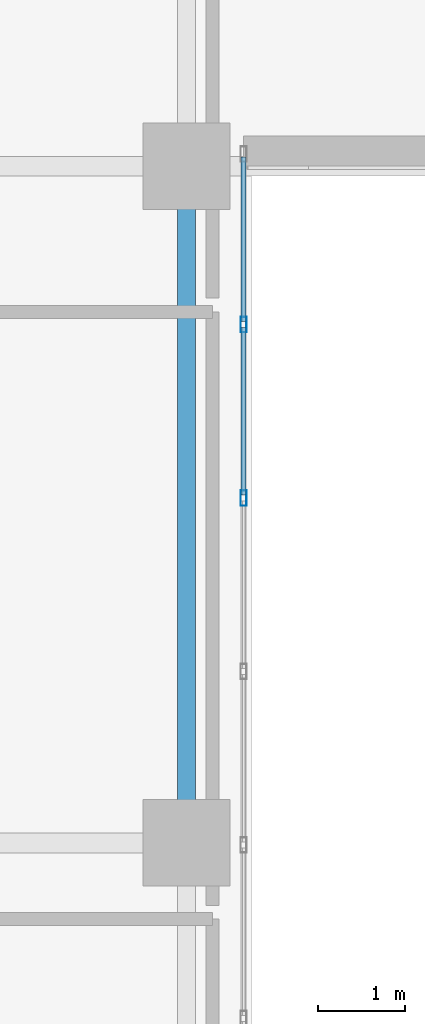
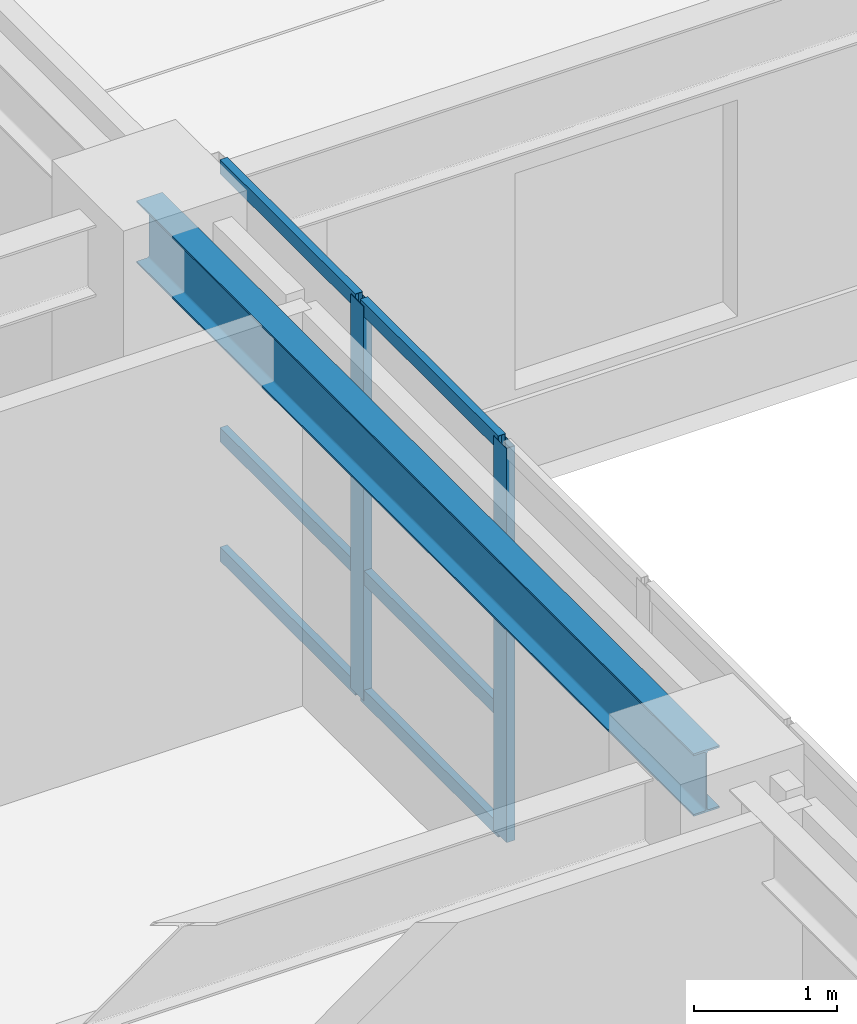
# One storey, part 3 of 25: 8 members, 1 beam, 1 element without a shape of its own.
"""IFC4 building model written with IfcOpenShell, lengths in metres."""

from ifc_helpers import new_model, si_unit, direction, frame, origin, origin_2d, place, context, subcontext, project, spatial, hollow_rectangle, i_section, extrude, source, transform, mapped, material, layer, layer_set, material_profile, profile_set, type_object, type_shapes, element, aggregate, save


model = new_model("IFC4")

# Units and contexts
model_context = context("Model", 3, precision=1e-05, world=origin(), true_north=direction((0.0, 1.0)))
body_context = subcontext(model_context, "Body", "Model", "MODEL_VIEW")
ifc_project = project(units=[si_unit("LENGTHUNIT", "METRE"), si_unit("AREAUNIT", "SQUARE_METRE"), si_unit("VOLUMEUNIT", "CUBIC_METRE"), si_unit("PLANEANGLEUNIT", "RADIAN"), si_unit("MASSUNIT", "GRAM", prefix="KILO")], contexts=[model_context])

# Site, building, storey
site_placement = place(None, origin())
site = spatial("IfcSite", under=ifc_project, at=site_placement, CompositionType="ELEMENT")
building_placement = place(site_placement, origin())
building = spatial("IfcBuilding", under=site, at=building_placement, Name="Tolvann Quenvar Hotel", CompositionType="ELEMENT")
storey_placement = place(building_placement, frame((0.0, 0.0, 39.10009765625)))
storey = spatial("IfcBuildingStorey", under=building, at=storey_placement, Name="L08", CompositionType="ELEMENT", Elevation=39.10009765625)

# Beam
ifc_material_1 = material(Name="Steel Grade 350", Category="steel")
ifc_material_profile_1 = material_profile(ifc_material_1, i_section(OverallWidth=0.208984375, OverallDepth=0.532958984375, WebThickness=0.01025390625, FlangeThickness=0.015625, FilletRadius=0.013916015625, at=origin_2d()), Name="530UB92")
ifc_profile_set_1 = profile_set([ifc_material_profile_1], Name="Steel Grade 350")
beam_type = type_object("IfcBeamType", Name="BM_GIRD_530UB92", PredefinedType="BEAM", material=ifc_profile_set_1)
shared_shape_1 = source(origin(), body_context, "Body", "SweptSolid", [
    extrude(i_section(OverallWidth=0.208984375, OverallDepth=0.532958984375, WebThickness=0.01025390625, FlangeThickness=0.015625, FilletRadius=0.013916015625, at=origin_2d()), origin(), (0.0, 0.0, 1.0), 7.800048828125),
])
type_shapes(beam_type, [shared_shape_1])
beam_placement = place(storey_placement, frame((22.050048828125, 8.199951171875, 3.103515625), z_axis=(0.0, 1.0, 0.0), x_axis=(-1.0, 0.0, 0.0)))
element("IfcBeam", 1, at=beam_placement, inside=storey, type_object=beam_type, Name="BM-L08-NS-E3-E4", PredefinedType="BEAM", context=body_context, shape_type="MappedRepresentation", body=[
    mapped(shared_shape_1, transform((0.0, 0.0, 0.0), x_axis=(1.0, 0.0, 0.0), y_axis=(0.0, 1.0, 0.0), z_axis=(0.0, 0.0, 1.0), scale=1.0)),
])

# Curtain wall, members
ifc_material_2 = material(Name="Thermally broken anodised architectural aluminium 6063-T6 and laminated low-E glass", Category="aluminium")
ifc_layer = layer(ifc_material_2, 0.179931640625)
ifc_layer_set = layer_set([ifc_layer], Name="Thermally broken anodised architectural aluminium 6063-T6 and laminated low-E glass")
curtain_wall_type = type_object("IfcCurtainWallType", Name="CW_SYS_SLOT_03", PredefinedType="USERDEFINED", material=ifc_layer_set)
curtain_wall_placement = place(storey_placement, origin())
curtain_wall = element("IfcCurtainWall", 2, at=curtain_wall_placement, inside=storey, type_object=curtain_wall_type, Name="Curtain Wall CW-SLOT-03 (CWR-L08-E05)", ObjectType="UNITISED CURTAIN WALL", PredefinedType="USERDEFINED")
ifc_material_3 = material(Name="Anodised architectural aluminium 6063-T6 framing", Category="aluminium")
ifc_material_profile_2 = material_profile(ifc_material_3, hollow_rectangle(XDim=0.06005859375, YDim=0.1201171875, WallThickness=0.00341796875, at=origin_2d()), Name="120x60x3.5RHS")
ifc_profile_set_2 = profile_set([ifc_material_profile_2], Name="Anodised architectural aluminium 6063-T6 framing")
member_type_1 = type_object("IfcMemberType", Name="CW_TRAN_120x60", PredefinedType="USERDEFINED", material=ifc_profile_set_2)
shared_shape_2 = source(origin(), body_context, "Body", "SweptSolid", [
    extrude(hollow_rectangle(XDim=0.06005859375, YDim=0.1201171875, WallThickness=0.00341796875, at=origin_2d()), origin(), (0.0, 0.0, 1.0), 1.929931640625),
])
member_1_placement = place(storey_placement, frame((22.7099609375, 12.2099609375, 0.02978515625), z_axis=(0.0, 1.0, 0.0), x_axis=(-1.0, 0.0, 0.0)))
member_1 = element("IfcMember", 3, at=member_1_placement, type_object=member_type_1, Name="CW-SLOT-03 transom 7.1", ObjectType="TRANSOM", PredefinedType="USERDEFINED", context=body_context, shape_type="MappedRepresentation", body=[
    mapped(shared_shape_2, transform((0.0, 0.0, 0.0), x_axis=(1.0, 0.0, 0.0), y_axis=(0.0, 1.0, 0.0), z_axis=(0.0, 0.0, 1.0), scale=1.0)),
])
member_2_placement = place(storey_placement, frame((22.7099609375, 12.2099609375, 1.0498046875), z_axis=(0.0, 1.0, 0.0), x_axis=(-1.0, 0.0, 0.0)))
member_2 = element("IfcMember", 4, at=member_2_placement, type_object=member_type_1, Name="CW-SLOT-03 transom 7.2", ObjectType="TRANSOM", PredefinedType="USERDEFINED", context=body_context, shape_type="MappedRepresentation", body=[
    mapped(shared_shape_2, transform((0.0, 0.0, 0.0), x_axis=(1.0, 0.0, 0.0), y_axis=(0.0, 1.0, 0.0), z_axis=(0.0, 0.0, 1.0), scale=1.0)),
])
member_3_placement = place(storey_placement, frame((22.7099609375, 12.2099609375, 3.33984375), z_axis=(0.0, 1.0, 0.0), x_axis=(-1.0, 0.0, 0.0)))
member_3 = element("IfcMember", 5, at=member_3_placement, type_object=member_type_1, Name="CW-SLOT-03 transom 7.3", ObjectType="TRANSOM", PredefinedType="USERDEFINED", context=body_context, shape_type="MappedRepresentation", body=[
    mapped(shared_shape_2, transform((0.0, 0.0, 0.0), x_axis=(1.0, 0.0, 0.0), y_axis=(0.0, 1.0, 0.0), z_axis=(0.0, 0.0, 1.0), scale=1.0)),
])
shared_shape_3 = source(origin(), body_context, "Body", "SweptSolid", [
    extrude(hollow_rectangle(XDim=0.06005859375, YDim=0.1201171875, WallThickness=0.00341796875, at=origin_2d()), origin(), (0.0, 0.0, 1.0), 1.89501953125),
])
type_shapes(member_type_1, [shared_shape_2, shared_shape_3])
member_4_placement = place(storey_placement, frame((22.7099609375, 14.2099609375, 0.02978515625), z_axis=(0.0, 1.0, 0.0), x_axis=(-1.0, 0.0, 0.0)))
member_4 = element("IfcMember", 6, at=member_4_placement, type_object=member_type_1, Name="CW-SLOT-03 transom 8.1", ObjectType="TRANSOM", PredefinedType="USERDEFINED", context=body_context, shape_type="MappedRepresentation", body=[
    mapped(shared_shape_3, transform((0.0, 0.0, 0.0), x_axis=(1.0, 0.0, 0.0), y_axis=(0.0, 1.0, 0.0), z_axis=(0.0, 0.0, 1.0), scale=1.0)),
])
member_5_placement = place(storey_placement, frame((22.7099609375, 14.2099609375, 1.0498046875), z_axis=(0.0, 1.0, 0.0), x_axis=(-1.0, 0.0, 0.0)))
member_5 = element("IfcMember", 7, at=member_5_placement, type_object=member_type_1, Name="CW-SLOT-03 transom 8.2", ObjectType="TRANSOM", PredefinedType="USERDEFINED", context=body_context, shape_type="MappedRepresentation", body=[
    mapped(shared_shape_3, transform((0.0, 0.0, 0.0), x_axis=(1.0, 0.0, 0.0), y_axis=(0.0, 1.0, 0.0), z_axis=(0.0, 0.0, 1.0), scale=1.0)),
])
member_6_placement = place(storey_placement, frame((22.7099609375, 14.2099609375, 3.33984375), z_axis=(0.0, 1.0, 0.0), x_axis=(-1.0, 0.0, 0.0)))
member_6 = element("IfcMember", 8, at=member_6_placement, type_object=member_type_1, Name="CW-SLOT-03 transom 8.3", ObjectType="TRANSOM", PredefinedType="USERDEFINED", context=body_context, shape_type="MappedRepresentation", body=[
    mapped(shared_shape_3, transform((0.0, 0.0, 0.0), x_axis=(1.0, 0.0, 0.0), y_axis=(0.0, 1.0, 0.0), z_axis=(0.0, 0.0, 1.0), scale=1.0)),
])
ifc_material_profile_3 = material_profile(ifc_material_3, hollow_rectangle(XDim=0.070068359375, YDim=0.179931640625, WallThickness=0.00390625, at=origin_2d()), Name="180x70x4RHS")
ifc_profile_set_3 = profile_set([ifc_material_profile_3], Name="Anodised architectural aluminium 6063-T6 framing")
member_type_2 = type_object("IfcMemberType", Name="CW_MULL_180x70", PredefinedType="MULLION", material=ifc_profile_set_3)
shared_shape_4 = source(origin(), body_context, "Body", "SweptSolid", [
    extrude(hollow_rectangle(XDim=0.070068359375, YDim=0.179931640625, WallThickness=0.00390625, at=origin_2d()), origin(), (0.0, 0.0, 1.0), 3.369873046875),
])
type_shapes(member_type_2, [shared_shape_4])
member_7_placement = place(storey_placement, frame((22.7099609375, 12.175048828125, 0.0), z_axis=(0.0, 0.0, 1.0), x_axis=(-1.0, 0.0, 0.0)))
member_7 = element("IfcMember", 9, at=member_7_placement, type_object=member_type_2, Name="CW-SLOT-03 mullion 7", PredefinedType="MULLION", context=body_context, shape_type="MappedRepresentation", body=[
    mapped(shared_shape_4, transform((0.0, 0.0, 0.0), x_axis=(1.0, 0.0, 0.0), y_axis=(0.0, 1.0, 0.0), z_axis=(0.0, 0.0, 1.0), scale=1.0)),
])
member_8_placement = place(storey_placement, frame((22.7099609375, 14.175048828125, 0.0), z_axis=(0.0, 0.0, 1.0), x_axis=(-1.0, 0.0, 0.0)))
member_8 = element("IfcMember", 10, at=member_8_placement, type_object=member_type_2, Name="CW-SLOT-03 mullion 8", PredefinedType="MULLION", context=body_context, shape_type="MappedRepresentation", body=[
    mapped(shared_shape_4, transform((0.0, 0.0, 0.0), x_axis=(1.0, 0.0, 0.0), y_axis=(0.0, 1.0, 0.0), z_axis=(0.0, 0.0, 1.0), scale=1.0)),
])
aggregate(curtain_wall, [member_7, member_8, member_1, member_2, member_3, member_4, member_5, member_6])

save(model, "model.ifc")
